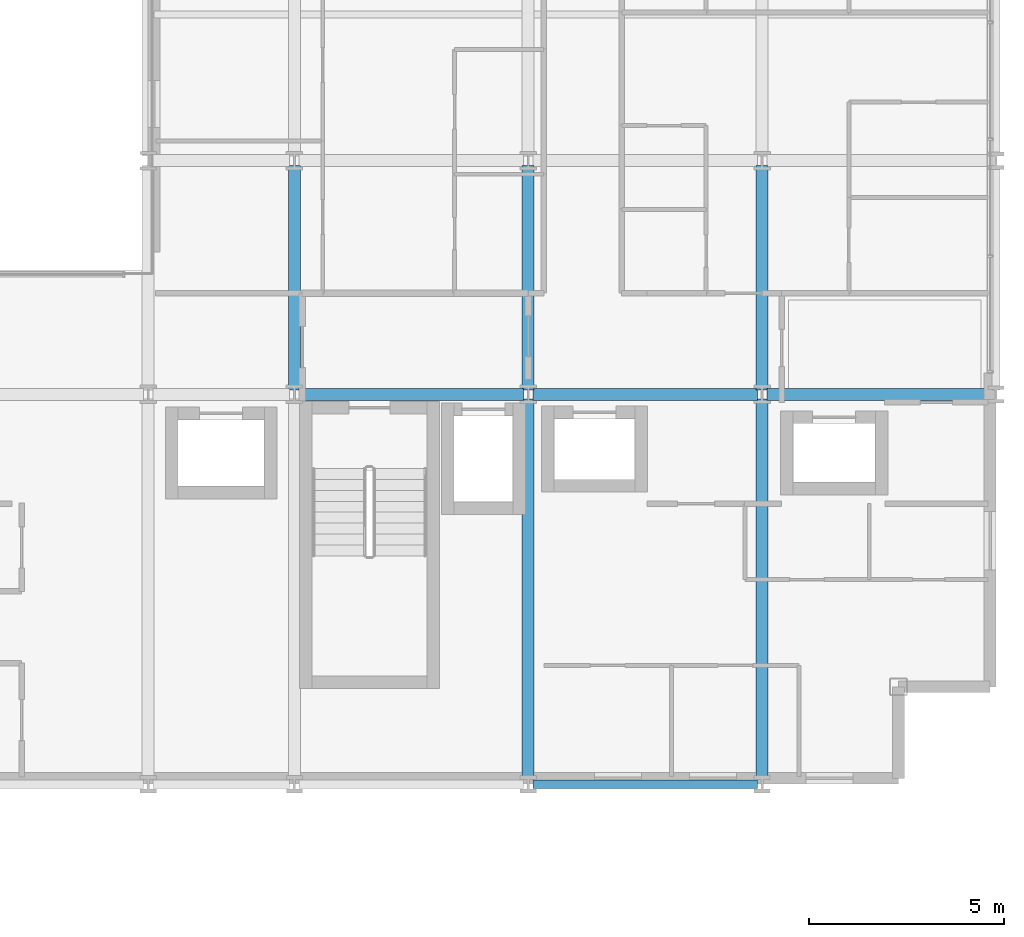
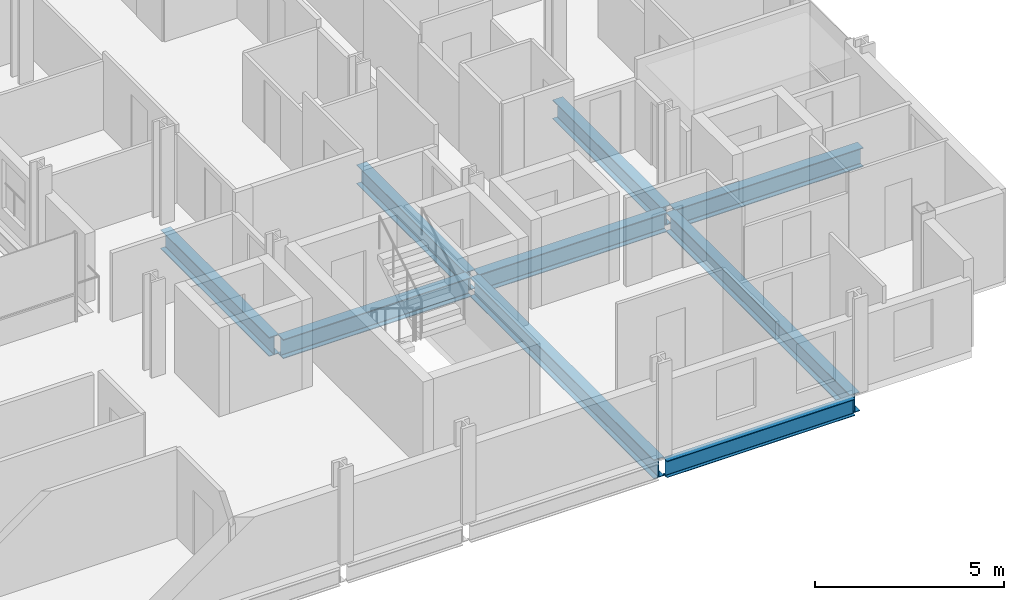
# One storey, part 14 of 41: 9 beams.
"""IFC4 building model written with IfcOpenShell, lengths in metres."""

from ifc_helpers import new_model, si_unit, direction, frame, origin, origin_2d, place, context, subcontext, project, spatial, i_section, extrude, material, material_profile, profile_set, type_object, element, save


model = new_model("IFC4")

# Units and contexts
model_context = context("Model", 3, precision=1e-05, world=origin(), true_north=direction((0.0, 1.0)))
body_context = subcontext(model_context, "Body", "Model", "MODEL_VIEW")
ifc_project = project(units=[si_unit("LENGTHUNIT", "METRE"), si_unit("AREAUNIT", "SQUARE_METRE"), si_unit("VOLUMEUNIT", "CUBIC_METRE"), si_unit("PLANEANGLEUNIT", "RADIAN"), si_unit("MASSUNIT", "GRAM", prefix="KILO")], contexts=[model_context])

# Site, building, storey
site_placement = place(None, origin())
site = spatial("IfcSite", under=ifc_project, at=site_placement, CompositionType="ELEMENT")
building_placement = place(site_placement, origin())
building = spatial("IfcBuilding", under=site, at=building_placement, Name="Brevholm Reach", CompositionType="ELEMENT")
storey_placement = place(building_placement, frame((0.0, 0.0, 43.5)))
storey = spatial("IfcBuildingStorey", under=building, at=storey_placement, Name="L11", CompositionType="ELEMENT", Elevation=43.5)

# Beams
ifc_material_1 = material(Name="Structural Steel S355J2", Category="steel")
ifc_material_profile_1 = material_profile(ifc_material_1, i_section(OverallWidth=0.210693359375, OverallDepth=0.53955078125, WebThickness=0.01171875, FlangeThickness=0.018798828125, FilletRadius=0.0126953125, at=origin_2d()), Name="UKB 533x210x109")
ifc_profile_set_1 = profile_set([ifc_material_profile_1], Name="Structural Steel S355J2")
beam_type_1 = type_object("IfcBeamType", Name="BM-SP539", PredefinedType="SPANDREL", material=ifc_profile_set_1)
beam_1_placement = place(storey_placement, frame((48.1201171875, 0.0, -0.499755859375), z_axis=(1.0, 0.0, 0.0), x_axis=(0.0, 1.0, 0.0)))
element("IfcBeam", 1, at=beam_1_placement, inside=storey, type_object=beam_type_1, Name="L11 SP-01B Framing Beam", PredefinedType="SPANDREL", context=body_context, shape_type="SweptSolid", body=[
    extrude(i_section(OverallWidth=0.210693359375, OverallDepth=0.53955078125, WebThickness=0.01171875, FlangeThickness=0.018798828125, FilletRadius=0.0126953125, at=origin_2d()), origin(), (0.0, 0.0, 1.0), 5.759765625),
])
ifc_material_2 = material(Name="Structural Steel S355J2", Category="steel")
ifc_material_profile_2 = material_profile(ifc_material_2, i_section(OverallWidth=0.30712890625, OverallDepth=0.6201171875, WebThickness=0.01416015625, FlangeThickness=0.023681640625, FilletRadius=0.0166015625, at=origin_2d()), Name="UKB 610x305x179")
ifc_profile_set_2 = profile_set([ifc_material_profile_2], Name="Structural Steel S355J2")
beam_type_2 = type_object("IfcBeamType", Name="BM-UKB610H", PredefinedType="USERDEFINED", material=ifc_profile_set_2)
for number, where, z_axis, x_axis, name in (
    (2, (42.1201171875, 10.0, -0.5400390625), (1.0, 0.0, 0.0), (0.0, 1.0, 0.0), "L11 G-06 Framing Beam"),
    (3, (48.1201171875, 10.0, -0.5400390625), (1.0, 0.0, 0.0), (0.0, 1.0, 0.0), "L11 G-06 Framing Beam"),
    (4, (54.1201171875, 10.0, -0.5400390625), (1.0, 0.0, 0.0), (0.0, 1.0, 0.0), "L11 G-06 Framing Beam"),
    (5, (42.0, 10.1201171875, -0.5400390625), (0.0, 1.0, 0.0), (-1.0, 0.0, 0.0), "L11 G-06 Framing Beam"),
):
    element("IfcBeam", number, at=place(storey_placement, frame(where, z_axis=z_axis, x_axis=x_axis)), inside=storey, type_object=beam_type_2, Name=name, ObjectType="GIRDER", PredefinedType="USERDEFINED", context=body_context, shape_type="SweptSolid", body=[
        extrude(i_section(OverallWidth=0.30712890625, OverallDepth=0.6201171875, WebThickness=0.01416015625, FlangeThickness=0.023681640625, FilletRadius=0.0166015625, at=origin_2d()), origin(), (0.0, 0.0, 1.0), 5.759765625),
    ])
beam_2_placement = place(storey_placement, frame((48.0, 0.1201171875, -0.5400390625), z_axis=(0.0, 1.0, 0.0), x_axis=(-1.0, 0.0, 0.0)))
element("IfcBeam", 6, at=beam_2_placement, inside=storey, type_object=beam_type_2, Name="L11 G-06 Framing Beam", ObjectType="GIRDER", PredefinedType="USERDEFINED", context=body_context, shape_type="SweptSolid", body=[
    extrude(i_section(OverallWidth=0.30712890625, OverallDepth=0.6201171875, WebThickness=0.01416015625, FlangeThickness=0.023681640625, FilletRadius=0.0166015625, at=origin_2d()), origin(), (0.0, 0.0, 1.0), 9.759765625),
])
beam_3_placement = place(storey_placement, frame((48.0, 10.1201171875, -0.5400390625), z_axis=(0.0, 1.0, 0.0), x_axis=(-1.0, 0.0, 0.0)))
element("IfcBeam", 7, at=beam_3_placement, inside=storey, type_object=beam_type_2, Name="L11 G-06 Framing Beam", ObjectType="GIRDER", PredefinedType="USERDEFINED", context=body_context, shape_type="SweptSolid", body=[
    extrude(i_section(OverallWidth=0.30712890625, OverallDepth=0.6201171875, WebThickness=0.01416015625, FlangeThickness=0.023681640625, FilletRadius=0.0166015625, at=origin_2d()), origin(), (0.0, 0.0, 1.0), 5.759765625),
])
beam_4_placement = place(storey_placement, frame((54.0, 0.1201171875, -0.5400390625), z_axis=(0.0, 1.0, 0.0), x_axis=(-1.0, 0.0, 0.0)))
element("IfcBeam", 8, at=beam_4_placement, inside=storey, type_object=beam_type_2, Name="L11 G-06 Framing Beam", ObjectType="GIRDER", PredefinedType="USERDEFINED", context=body_context, shape_type="SweptSolid", body=[
    extrude(i_section(OverallWidth=0.30712890625, OverallDepth=0.6201171875, WebThickness=0.01416015625, FlangeThickness=0.023681640625, FilletRadius=0.0166015625, at=origin_2d()), origin(), (0.0, 0.0, 1.0), 9.759765625),
])
beam_5_placement = place(storey_placement, frame((54.0, 10.1201171875, -0.5400390625), z_axis=(0.0, 1.0, 0.0), x_axis=(-1.0, 0.0, 0.0)))
element("IfcBeam", 9, at=beam_5_placement, inside=storey, type_object=beam_type_2, Name="L11 G-06 Framing Beam", ObjectType="GIRDER", PredefinedType="USERDEFINED", context=body_context, shape_type="SweptSolid", body=[
    extrude(i_section(OverallWidth=0.30712890625, OverallDepth=0.6201171875, WebThickness=0.01416015625, FlangeThickness=0.023681640625, FilletRadius=0.0166015625, at=origin_2d()), origin(), (0.0, 0.0, 1.0), 5.759765625),
])

save(model, "model.ifc")
